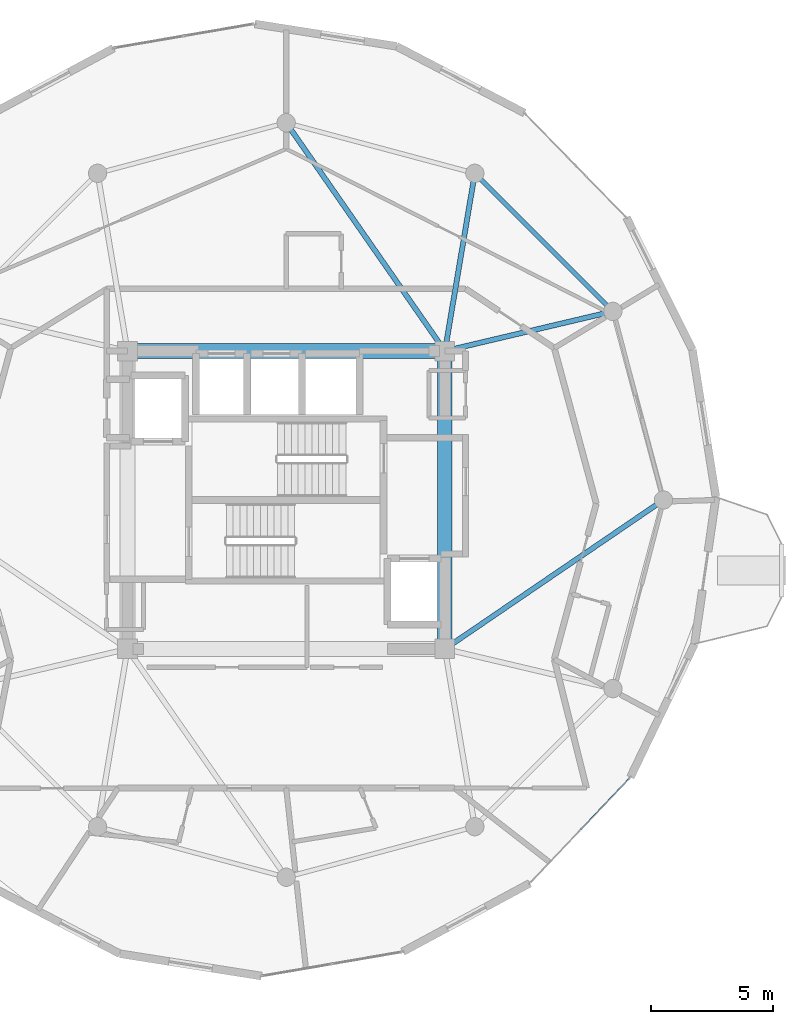
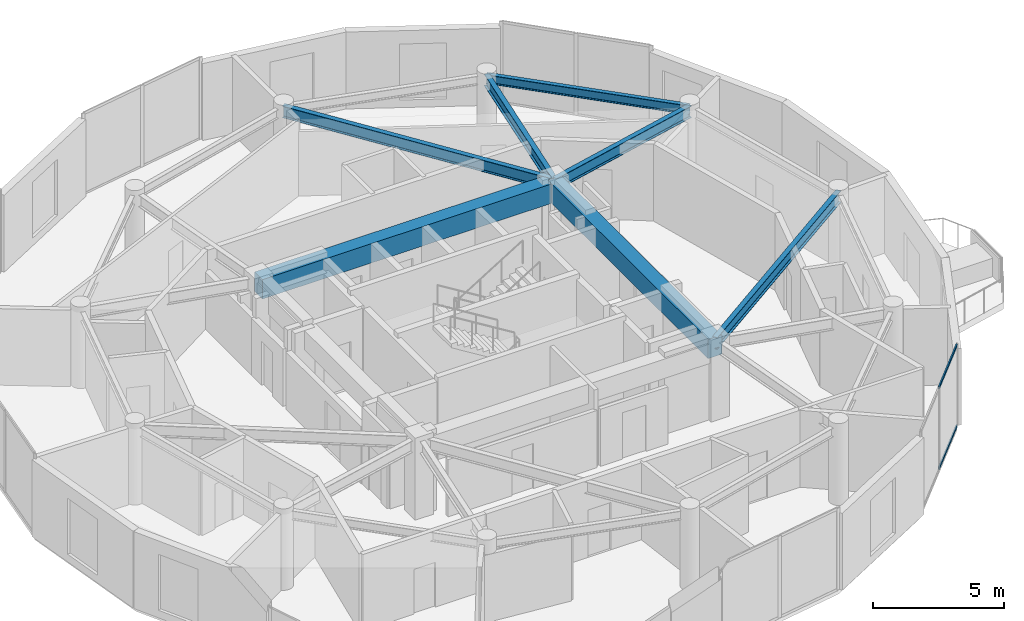
# One storey, part 10 of 22: 7 beams, 2 members, 1 element without a shape of its own.
"""IFC4 building model written with IfcOpenShell, lengths in metres."""

from ifc_helpers import new_model, si_unit, direction, frame, origin, origin_2d, place, context, subcontext, project, spatial, rectangle, hollow_rectangle, i_section, extrude, source, transform, mapped, material, layer, layer_set, material_profile, profile_set, type_object, element, aggregate, save


model = new_model("IFC4")

# Units and contexts
model_context = context("Model", 3, precision=1e-05, world=origin(), true_north=direction((0.0, 1.0)))
body_context = subcontext(model_context, "Body", "Model", "MODEL_VIEW")
ifc_project = project(units=[si_unit("LENGTHUNIT", "METRE"), si_unit("AREAUNIT", "SQUARE_METRE"), si_unit("VOLUMEUNIT", "CUBIC_METRE"), si_unit("PLANEANGLEUNIT", "RADIAN"), si_unit("MASSUNIT", "GRAM", prefix="KILO")], contexts=[model_context])

# Site, building, storey
site_placement = place(None, origin())
site = spatial("IfcSite", under=ifc_project, at=site_placement, CompositionType="ELEMENT")
building_placement = place(site_placement, origin())
building = spatial("IfcBuilding", under=site, at=building_placement, Name="Solvirekh Grand Hotel", CompositionType="ELEMENT")
storey_placement = place(building_placement, frame((0.0, 0.0, 278.199951171875)))
storey = spatial("IfcBuildingStorey", under=building, at=storey_placement, Name="L72", CompositionType="ELEMENT", Elevation=278.199951171875)

# Beams
ifc_material_1 = material(Name="Concrete C50/60", Category="concrete")
ifc_material_profile_1 = material_profile(ifc_material_1, rectangle(XDim=0.60009765625, YDim=0.89990234375, at=origin_2d()), Name="RC BEAM 600X900")
ifc_profile_set_1 = profile_set([ifc_material_profile_1], Name="Concrete C50/60")
beam_type_1 = type_object("IfcBeamType", Name="Beam_Core_RC900", PredefinedType="BEAM", material=ifc_profile_set_1)
beam_1_placement = place(storey_placement, frame((6.5, -6.10009765625, 3.1201171875), z_axis=(0.0, 1.0, 0.0), x_axis=(-1.0, 0.0, 0.0)))
element("IfcBeam", 1, at=beam_1_placement, inside=storey, type_object=beam_type_1, Name="L72 core coupling ring beam 2", PredefinedType="BEAM", context=body_context, shape_type="SweptSolid", body=[
    extrude(rectangle(XDim=0.60009765625, YDim=0.89990234375, at=origin_2d()), origin(), (0.0, 0.0, 1.0), 12.2001953125),
])
beam_2_placement = place(storey_placement, frame((6.5, 6.10009765625, 3.1201171875), z_axis=(-1.0, 0.0, 0.0), x_axis=(0.0, -1.0, 0.0)))
element("IfcBeam", 2, at=beam_2_placement, inside=storey, type_object=beam_type_1, Name="L72 core coupling ring beam 3", PredefinedType="BEAM", context=body_context, shape_type="SweptSolid", body=[
    extrude(rectangle(XDim=0.60009765625, YDim=0.89990234375, at=origin_2d()), origin(), (0.0, 0.0, 1.0), 13.0),
])
ifc_material_2 = material(Name="Steel S355", Category="steel")
ifc_material_profile_2 = material_profile(ifc_material_2, i_section(OverallWidth=0.2119140625, OverallDepth=0.5439453125, WebThickness=0.011962890625, FlangeThickness=0.01904296875, FilletRadius=0.013916015625, at=origin_2d()), Name="W530X123")
ifc_profile_set_2 = profile_set([ifc_material_profile_2], Name="Steel S355")
beam_type_2 = type_object("IfcBeamType", Name="Beam_Radial_W530H", PredefinedType="BEAM", material=ifc_profile_set_2)
beam_3_placement = place(storey_placement, frame((6.5, -6.10009765625, 3.298095703125), z_axis=(0.826319370306, 0.563201827285, 0.0), x_axis=(-0.563201827285, 0.826319370306, 0.0)))
element("IfcBeam", 3, at=beam_3_placement, inside=storey, type_object=beam_type_2, Name="L72 radial floor beam R01", PredefinedType="BEAM", context=body_context, shape_type="SweptSolid", body=[
    extrude(i_section(OverallWidth=0.2119140625, OverallDepth=0.5439453125, WebThickness=0.011962890625, FlangeThickness=0.01904296875, FilletRadius=0.013916015625, at=origin_2d()), origin(), (0.0, 0.0, 1.0), 10.8310546875),
])
beam_4_placement = place(storey_placement, frame((6.5, 6.10009765625, 3.298095703125), z_axis=(0.973221147544, 0.229870828888, 0.0), x_axis=(-0.229870828888, 0.973221147544, 0.0)))
element("IfcBeam", 4, at=beam_4_placement, inside=storey, type_object=beam_type_2, Name="L72 radial floor beam R02", PredefinedType="BEAM", context=body_context, shape_type="SweptSolid", body=[
    extrude(i_section(OverallWidth=0.2119140625, OverallDepth=0.5439453125, WebThickness=0.011962890625, FlangeThickness=0.01904296875, FilletRadius=0.013916015625, at=origin_2d()), origin(), (0.0, 0.0, 1.0), 7.069091796875),
])
beam_5_placement = place(storey_placement, frame((6.5, 6.10009765625, 3.298095703125), z_axis=(0.165954049106, 0.986133486697, 0.0), x_axis=(-0.986133486697, 0.165954049106, 0.0)))
element("IfcBeam", 5, at=beam_5_placement, inside=storey, type_object=beam_type_2, Name="L72 radial floor beam R03", PredefinedType="BEAM", context=body_context, shape_type="SweptSolid", body=[
    extrude(i_section(OverallWidth=0.2119140625, OverallDepth=0.5439453125, WebThickness=0.011962890625, FlangeThickness=0.01904296875, FilletRadius=0.013916015625, at=origin_2d()), origin(), (0.0, 0.0, 1.0), 7.382080078125),
])
beam_6_placement = place(storey_placement, frame((6.5, 6.10009765625, 3.298095703125), z_axis=(-0.570813192472, 0.821079959139, 0.0), x_axis=(-0.821079959139, -0.570813192472, 0.0)))
element("IfcBeam", 6, at=beam_6_placement, inside=storey, type_object=beam_type_2, Name="L72 radial floor beam R04", PredefinedType="BEAM", context=body_context, shape_type="SweptSolid", body=[
    extrude(i_section(OverallWidth=0.2119140625, OverallDepth=0.5439453125, WebThickness=0.011962890625, FlangeThickness=0.01904296875, FilletRadius=0.013916015625, at=origin_2d()), origin(), (0.0, 0.0, 1.0), 11.38720703125),
])
ifc_material_profile_3 = material_profile(ifc_material_2, i_section(OverallWidth=0.180908203125, OverallDepth=0.4169921875, WebThickness=0.010009765625, FlangeThickness=0.01611328125, FilletRadius=0.011962890625, at=origin_2d()), Name="W410X85")
ifc_profile_set_3 = profile_set([ifc_material_profile_3], Name="Steel S355")
beam_type_3 = type_object("IfcBeamType", Name="Spandrel_Ring_W410", PredefinedType="SPANDREL", material=ifc_profile_set_3)
beam_7_placement = place(storey_placement, frame((13.3798828125, 7.72509765625, 3.361083984375), z_axis=(-0.707106781187, 0.707106781187, 0.0), x_axis=(-0.707106781187, -0.707106781187, 0.0)))
element("IfcBeam", 7, at=beam_7_placement, inside=storey, type_object=beam_type_3, Name="L72 perimeter spandrel beam 2", PredefinedType="SPANDREL", context=body_context, shape_type="SweptSolid", body=[
    extrude(i_section(OverallWidth=0.180908203125, OverallDepth=0.4169921875, WebThickness=0.010009765625, FlangeThickness=0.01611328125, FilletRadius=0.011962890625, at=origin_2d()), origin(), (0.0, 0.0, 1.0), 7.9970703125),
])

# Curtain wall, members
ifc_material_3 = material(Name="Anodized Bronze Aluminium 6063-T6", Category="aluminium")
ifc_layer = layer(ifc_material_3, 0.159912109375)
ifc_layer_set = layer_set([ifc_layer], Name="Anodized Bronze Aluminium 6063-T6")
curtain_wall_type = type_object("IfcCurtainWallType", Name="CW_Sys4_HighZoneFlushBronzeCW", PredefinedType="NOTDEFINED", material=ifc_layer_set)
curtain_wall_placement = place(storey_placement, origin())
curtain_wall = element("IfcCurtainWall", 8, at=curtain_wall_placement, inside=storey, type_object=curtain_wall_type, Name="L72 unitised bronze-glass curtain wall CW-L72-C03", PredefinedType="NOTDEFINED")
ifc_material_profile_4 = material_profile(ifc_material_3, hollow_rectangle(XDim=0.054931640625, YDim=0.1201171875, WallThickness=0.00390625, at=origin_2d()), Name="ALU RHS 120X55X4")
ifc_profile_set_4 = profile_set([ifc_material_profile_4], Name="Anodized Bronze Aluminium 6063-T6")
member_type = type_object("IfcMemberType", Name="CWTransom_Sys4", PredefinedType="USERDEFINED", material=ifc_profile_set_4)
shared_shape = source(origin(), body_context, "Body", "SweptSolid", [
    extrude(hollow_rectangle(XDim=0.054931640625, YDim=0.1201171875, WallThickness=0.00390625, at=origin_2d()), origin(), (0.0, 0.0, 1.0), 2.90234375),
])
member_1_placement = place(storey_placement, frame((12.060546875, -13.505615234375, 0.027587890625), z_axis=(0.688099219445, 0.725616609649, 0.0), x_axis=(-0.725616609649, 0.688099219445, 0.0)))
member_1 = element("IfcMember", 9, at=member_1_placement, type_object=member_type, Name="U04 transom 2.1", ObjectType="TRANSOM", PredefinedType="USERDEFINED", context=body_context, shape_type="MappedRepresentation", body=[
    mapped(shared_shape, transform((0.0, 0.0, 0.0), x_axis=(1.0, 0.0, 0.0), y_axis=(0.0, 1.0, 0.0), z_axis=(0.0, 0.0, 1.0), scale=1.0)),
])
member_2_placement = place(storey_placement, frame((12.060546875, -13.505615234375, 3.7724609375), z_axis=(0.688099219445, 0.725616609649, 0.0), x_axis=(-0.725616609649, 0.688099219445, 0.0)))
member_2 = element("IfcMember", 10, at=member_2_placement, type_object=member_type, Name="U04 transom 2.2", ObjectType="TRANSOM", PredefinedType="USERDEFINED", context=body_context, shape_type="MappedRepresentation", body=[
    mapped(shared_shape, transform((0.0, 0.0, 0.0), x_axis=(1.0, 0.0, 0.0), y_axis=(0.0, 1.0, 0.0), z_axis=(0.0, 0.0, 1.0), scale=1.0)),
])
aggregate(curtain_wall, [member_1, member_2])

save(model, "model.ifc")
